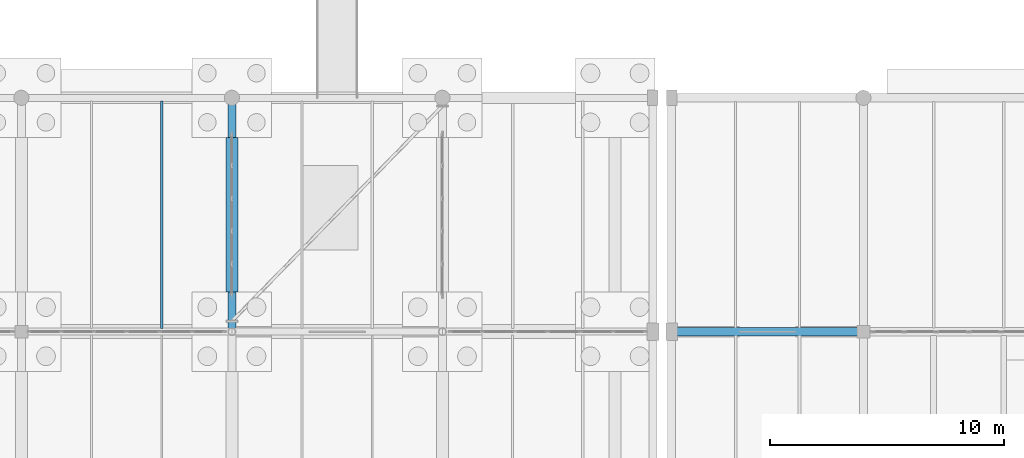
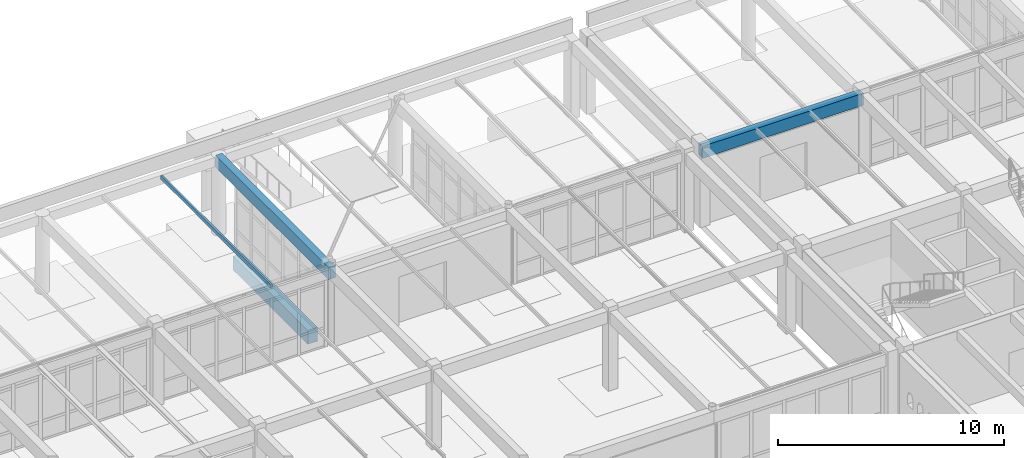
# One storey, part 76 of 186: 4 beams.
"""IFC4 building model written with IfcOpenShell, lengths in metres."""

from ifc_helpers import new_model, si_unit, direction, frame, origin, origin_2d, place, context, subcontext, project, spatial, rectangle, hollow_rectangle, extrude, material, material_profile, profile_set, type_object, element, save


model = new_model("IFC4")

# Units and contexts
model_context = context("Model", 3, precision=1e-05, world=origin(), true_north=direction((0.0, 1.0)))
body_context = subcontext(model_context, "Body", "Model", "MODEL_VIEW")
ifc_project = project(units=[si_unit("LENGTHUNIT", "METRE"), si_unit("AREAUNIT", "SQUARE_METRE"), si_unit("VOLUMEUNIT", "CUBIC_METRE"), si_unit("PLANEANGLEUNIT", "RADIAN"), si_unit("MASSUNIT", "GRAM", prefix="KILO")], contexts=[model_context])

# Site, building, storey
site_placement = place(None, origin())
site = spatial("IfcSite", under=ifc_project, at=site_placement, CompositionType="ELEMENT")
building_placement = place(site_placement, origin())
building = spatial("IfcBuilding", under=site, at=building_placement, Name="Ornek Quay Market", CompositionType="ELEMENT")
storey_placement = place(building_placement, origin())
storey = spatial("IfcBuildingStorey", under=building, at=storey_placement, Name="L00", CompositionType="ELEMENT", Elevation=0.0)

# Beams
ifc_material_1 = material(Name="Concrete C35/45", Category="concrete")
ifc_material_profile_1 = material_profile(ifc_material_1, rectangle(XDim=0.35009765625, YDim=0.64990234375, at=origin_2d()), Name="RC 350x650", Category="concrete")
ifc_profile_set_1 = profile_set([ifc_material_profile_1], Name="Concrete C35/45")
beam_type_1 = type_object("IfcBeamType", Name="BM-CONC-350x650", PredefinedType="BEAM", material=ifc_profile_set_1)
beam_1_placement = place(storey_placement, frame((36.0, 110.0, 3.864990234375), z_axis=(0.0, 1.0, 0.0), x_axis=(-1.0, 0.0, 0.0)))
element("IfcBeam", 1, at=beam_1_placement, inside=storey, type_object=beam_type_1, Name="Primary beam B-CN1-005", PredefinedType="BEAM", context=body_context, shape_type="SweptSolid", body=[
    extrude(rectangle(XDim=0.35009765625, YDim=0.64990234375, at=origin_2d()), origin(), (0.0, 0.0, 1.0), 10.0),
])
beam_2_placement = place(storey_placement, frame((54.800048828125, 110.0, 3.864990234375), z_axis=(1.0, 0.0, 0.0), x_axis=(0.0, 1.0, 0.0)))
element("IfcBeam", 2, at=beam_2_placement, inside=storey, type_object=beam_type_1, Name="Primary beam B-CN1-008", PredefinedType="BEAM", context=body_context, shape_type="SweptSolid", body=[
    extrude(rectangle(XDim=0.35009765625, YDim=0.64990234375, at=origin_2d()), origin(), (0.0, 0.0, 1.0), 8.199951171875),
])
ifc_material_profile_2 = material_profile(ifc_material_1, rectangle(XDim=0.5, YDim=0.75, at=origin_2d()), Name="RC 500x750", Category="concrete")
ifc_profile_set_2 = profile_set([ifc_material_profile_2], Name="Concrete C35/45")
beam_type_2 = type_object("IfcBeamType", Name="BM-GB-500x750", PredefinedType="BEAM", material=ifc_profile_set_2)
beam_3_placement = place(storey_placement, frame((36.0, 111.699951171875, -0.574951171875), z_axis=(0.0, 1.0, 0.0), x_axis=(-1.0, 0.0, 0.0)))
element("IfcBeam", 3, at=beam_3_placement, inside=storey, type_object=beam_type_2, Name="Ground tie beam GB-092", PredefinedType="BEAM", context=body_context, shape_type="SweptSolid", body=[
    extrude(rectangle(XDim=0.5, YDim=0.75, at=origin_2d()), origin(), (0.0, 0.0, 1.0), 6.60009765625),
])
ifc_material_2 = material(Name="Steel S355", Category="steel")
ifc_material_profile_3 = material_profile(ifc_material_2, hollow_rectangle(XDim=0.10009765625, YDim=0.199951171875, WallThickness=0.010009765625, at=origin_2d()), Name="RHS 200x100x10", Category="steel")
ifc_profile_set_3 = profile_set([ifc_material_profile_3], Name="Steel S355")
beam_type_3 = type_object("IfcBeamType", Name="BM-RHS-RHS200x100x10", PredefinedType="BEAM", material=ifc_profile_set_3)
beam_4_placement = place(storey_placement, frame((33.0, 110.14208984375, 4.090087890625), z_axis=(0.0, 1.0, 0.0), x_axis=(-1.0, 0.0, 0.0)))
element("IfcBeam", 4, at=beam_4_placement, inside=storey, type_object=beam_type_3, Name="Secondary joist SR-04-002", PredefinedType="BEAM", context=body_context, shape_type="SweptSolid", body=[
    extrude(hollow_rectangle(XDim=0.10009765625, YDim=0.199951171875, WallThickness=0.010009765625, at=origin_2d()), origin(), (0.0, 0.0, 1.0), 9.7158203125),
])

save(model, "model.ifc")
